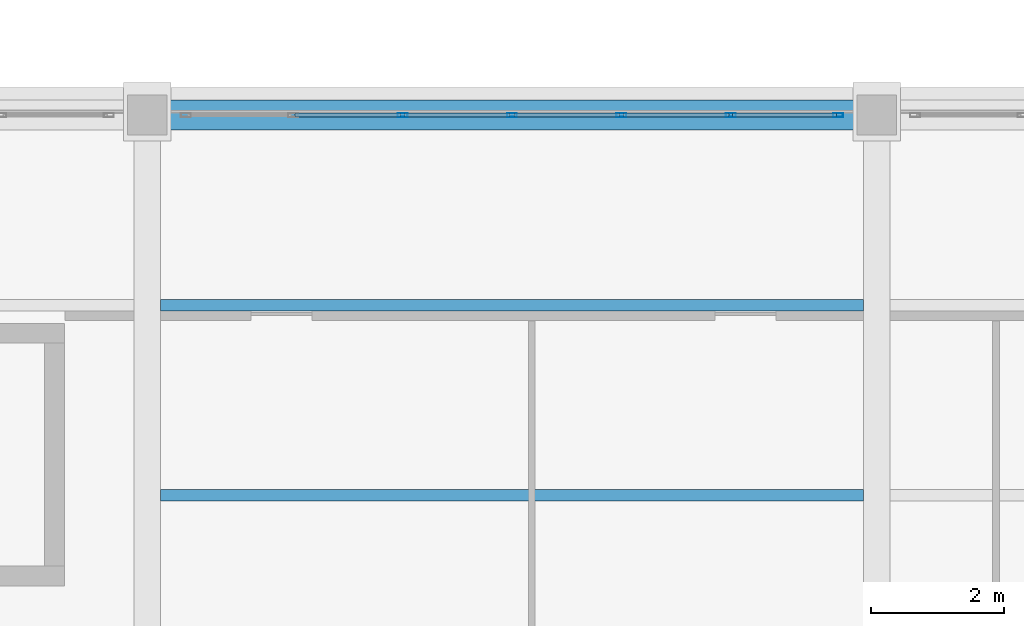
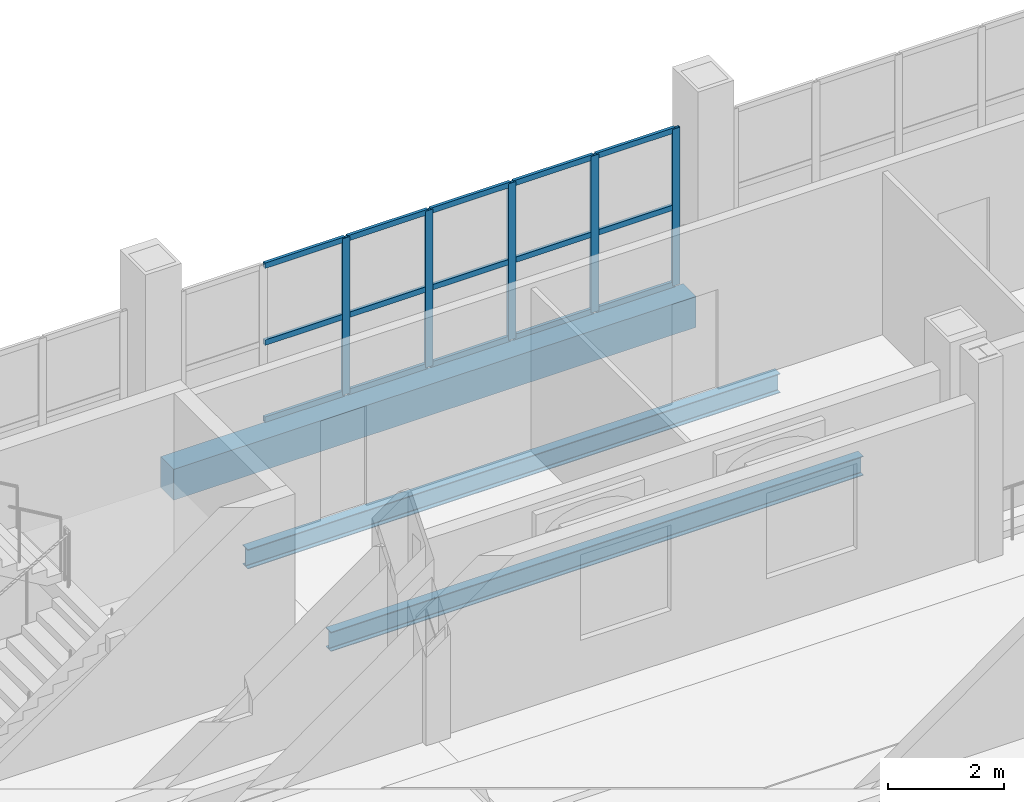
# One storey, part 57 of 120: 20 members, 3 beams, 1 element without a shape of its own.
"""IFC4 building model written with IfcOpenShell, lengths in metres."""

import ifcopenshell
import ifcopenshell.guid

model = None  # the IFC model being written
_history = None  # IfcOwnerHistory: only IFC2X3 demands one
_inside = {}  # id of a spatial element -> (the spatial element, [elements in it])
_under = {}  # id of a project, library or spatial element -> (it, [spatial elements below it])
_declared = {}  # id of a project -> (the project, [libraries it declares])
_typed = {}  # id of a type object -> (the type object, [elements of that type])
_made_of = {}  # id of a material, layer set ... -> (it, [elements and type objects made of it])


def new_model(schema):
    """Start an empty IFC model of exactly this schema.

    Asked for "IFC4X3", IfcOpenShell would pick the latest addendum, in which some entities
    have other attributes; the version numbers below select the first issue.
    IFC2X3 requires an IfcOwnerHistory on every rooted entity: one is made here for all.
    """
    global model, _history
    if schema == "IFC4X3":
        model = ifcopenshell.file(schema_version=(4, 3, 0, 0))
    else:
        model = ifcopenshell.file(schema=schema)
    _inside.clear()
    _under.clear()
    _declared.clear()
    _typed.clear()
    _made_of.clear()
    _history = None
    if model.schema == "IFC2X3":
        org = make("IfcOrganization", Name="unknown")
        user = make(
            "IfcPersonAndOrganization",
            ThePerson=make("IfcPerson", FamilyName="unknown"),
            TheOrganization=org,
        )
        app = make(
            "IfcApplication",
            ApplicationDeveloper=org,
            Version="unknown",
            ApplicationFullName="unknown",
            ApplicationIdentifier="unknown",
        )
        _history = make(
            "IfcOwnerHistory",
            OwningUser=user,
            OwningApplication=app,
            ChangeAction="ADDED",
            CreationDate=0,
        )
    return model


def make(cls, **values):
    """One entity of the class cls with the attributes given. An attribute that is None is left unset."""
    return model.create_entity(
        cls, **{name: value for name, value in values.items() if value is not None}
    )


def rooted(cls, **values):
    """An entity with a GlobalId (a new one), such as an element, a storey or a relation."""
    return make(cls, GlobalId=ifcopenshell.guid.new(), OwnerHistory=_history, **values)


def si_unit(unit_type, name, prefix=None):
    """IfcSIUnit, for example si_unit("LENGTHUNIT", "METRE", prefix="MILLI")."""
    return make("IfcSIUnit", UnitType=unit_type, Prefix=prefix, Name=name)


def assignment(units):
    """IfcUnitAssignment: the units of a project."""
    return None if units is None else make("IfcUnitAssignment", Units=units)


def point(xyz):
    """IfcCartesianPoint."""
    return None if xyz is None else make("IfcCartesianPoint", Coordinates=xyz)


def direction(xyz):
    """IfcDirection."""
    return None if xyz is None else make("IfcDirection", DirectionRatios=xyz)


def frame(location, z_axis=None, x_axis=None):
    """IfcAxis2Placement3D, a coordinate frame: its origin and axes. An axis left out is left unset."""
    return make(
        "IfcAxis2Placement3D",
        Location=point(location),
        Axis=direction(z_axis),
        RefDirection=direction(x_axis),
    )


def frame_2d(location, x_axis=None):
    """IfcAxis2Placement2D, a coordinate frame in the plane: its origin and x axis."""
    return make(
        "IfcAxis2Placement2D", Location=point(location), RefDirection=direction(x_axis)
    )


def origin():
    """The frame at (0, 0, 0) with its axes left unset."""
    return frame((0.0, 0.0, 0.0))


def origin_2d():
    """The frame at (0, 0) in the plane with its x axis left unset."""
    return frame_2d((0.0, 0.0))


def place(relative_to, where):
    """IfcLocalPlacement: puts the frame where relative to a parent placement (None: the world)."""
    return make(
        "IfcLocalPlacement", PlacementRelTo=relative_to, RelativePlacement=where
    )


def context(
    kind, dimensions, precision=None, world=None, true_north=None, identifier=None
):
    """IfcGeometricRepresentationContext, for example the 3D "Model" context."""
    return make(
        "IfcGeometricRepresentationContext",
        ContextIdentifier=identifier,
        ContextType=kind,
        CoordinateSpaceDimension=dimensions,
        Precision=precision,
        WorldCoordinateSystem=world,
        TrueNorth=true_north,
    )


def subcontext(parent, identifier, kind, view, scale=None):
    """IfcGeometricRepresentationSubContext, for example "Body" below "Model"."""
    return make(
        "IfcGeometricRepresentationSubContext",
        ContextIdentifier=identifier,
        ContextType=kind,
        ParentContext=parent,
        TargetScale=scale,
        TargetView=view,
    )


def project(units=None, contexts=None):
    """IfcProject with its units and contexts."""
    return rooted(
        "IfcProject",
        Name="project",
        RepresentationContexts=contexts,
        UnitsInContext=assignment(units),
    )


def spatial(cls, under=None, at=None, **own):
    """A site, building, storey or space (cls), placed at a placement, below another one or the project."""
    s = rooted(cls, ObjectPlacement=at, **own)
    if under is not None:
        _under.setdefault(under.id(), (under, []))[1].append(s)
    return s


def profile(cls, at=None, kind="AREA", **sizes):
    """A parametric profile (cls). Its sizes go by their IFC names, for example OverallWidth=200.0."""
    return make(cls, ProfileType=kind, Position=at, **sizes)


def rectangle(**sizes):
    """IfcRectangleProfileDef."""
    return profile("IfcRectangleProfileDef", **sizes)


def hollow_rectangle(**sizes):
    """IfcRectangleHollowProfileDef."""
    return profile("IfcRectangleHollowProfileDef", **sizes)


def i_section(**sizes):
    """IfcIShapeProfileDef."""
    return profile("IfcIShapeProfileDef", **sizes)


def extrude(swept, where, along, depth):
    """IfcExtrudedAreaSolid: the profile swept, set in the frame where, extruded along a direction by depth."""
    return make(
        "IfcExtrudedAreaSolid",
        SweptArea=swept,
        Position=where,
        ExtrudedDirection=direction(along),
        Depth=depth,
    )


def shape(context_of_items, identifier, shape_type, items):
    """IfcShapeRepresentation: the items that make up one representation, for example the "Body"."""
    return make(
        "IfcShapeRepresentation",
        ContextOfItems=context_of_items,
        RepresentationIdentifier=identifier,
        RepresentationType=shape_type,
        Items=items,
    )


def material(Name=None, Category=None):
    """IfcMaterial."""
    return make("IfcMaterial", Name=Name, Category=Category)


def material_profile(
    of_material, cross_section, Name=None, Category=None, Priority=None
):
    """IfcMaterialProfile: a cross section and its material."""
    return make(
        "IfcMaterialProfile",
        Name=Name,
        Material=of_material,
        Profile=cross_section,
        Priority=Priority,
        Category=Category,
    )


def profile_set(profiles, Name=None, composite=None):
    """IfcMaterialProfileSet."""
    return make(
        "IfcMaterialProfileSet",
        Name=Name,
        MaterialProfiles=profiles,
        CompositeProfile=composite,
    )


def made_of(thing, what):
    """Note that an element or type object is made of a material, layer set ...; save() writes the relation."""
    if what is not None:
        _made_of.setdefault(what.id(), (what, []))[1].append(thing)
    return thing


def type_object(cls, material=None, **own):
    """A type object (cls), such as IfcWallType, which elements share."""
    return made_of(rooted(cls, **own), material)


def element(
    cls,
    number,
    at=None,
    inside=None,
    cuts=None,
    type_object=None,
    material=None,
    context=None,
    identifier="Body",
    shape_type=None,
    held_by="IfcProductDefinitionShape",
    body=None,
    shapes=None,
    **own,
):
    """One element of the class cls, such as IfcWall. Its Tag is "e" and its number.

    at: its placement. inside: the storey or other place that contains it. cuts: it is an
    opening in that element (IfcRelVoidsElement). A single representation is given by context,
    identifier, shape_type and body (its items); several are given by shapes. held_by: the class
    of the entity that holds the representations. save() writes the other relations.
    """
    e = rooted(cls, Tag="e%d" % number, ObjectPlacement=at, **own)
    if body is not None:
        shapes = [shape(context, identifier, shape_type, body)]
    if shapes is not None:
        e.Representation = make(held_by, Representations=shapes)
    if inside is not None:
        _inside.setdefault(inside.id(), (inside, []))[1].append(e)
    if cuts is not None:
        rooted(
            "IfcRelVoidsElement", RelatingBuildingElement=cuts, RelatedOpeningElement=e
        )
    if type_object is not None:
        _typed.setdefault(type_object.id(), (type_object, []))[1].append(e)
    return made_of(e, material)


def aggregate(whole, parts):
    """IfcRelAggregates: a whole, such as a stair, and the parts it consists of."""
    return rooted("IfcRelAggregates", RelatingObject=whole, RelatedObjects=parts)


def save(model, path):
    """Write the relations noted so far, then the file.

    IfcRelAggregates (storeys below a building ...), IfcRelContainedInSpatialStructure (elements
    in a storey), IfcRelDefinesByType, IfcRelAssociatesMaterial and IfcRelDeclares: one each for
    every whole, place, type object, material and project.
    """
    for whole, parts in _under.values():
        aggregate(whole, parts)
    for where, things in _inside.values():
        rooted(
            "IfcRelContainedInSpatialStructure",
            RelatedElements=things,
            RelatingStructure=where,
        )
    for kind, things in _typed.values():
        rooted("IfcRelDefinesByType", RelatedObjects=things, RelatingType=kind)
    for what, things in _made_of.values():
        rooted("IfcRelAssociatesMaterial", RelatedObjects=things, RelatingMaterial=what)
    for by, libraries in _declared.values():
        rooted("IfcRelDeclares", RelatingContext=by, RelatedDefinitions=libraries)
    model.write(path)


model = new_model("IFC4")

# Units and contexts
model_context = context("Model", 3, precision=1e-05, world=origin(), true_north=direction((0.0, 1.0)))
body_context = subcontext(model_context, "Body", "Model", "MODEL_VIEW")
ifc_project = project(units=[si_unit("LENGTHUNIT", "METRE"), si_unit("AREAUNIT", "SQUARE_METRE"), si_unit("VOLUMEUNIT", "CUBIC_METRE"), si_unit("PLANEANGLEUNIT", "RADIAN"), si_unit("MASSUNIT", "GRAM", prefix="KILO")], contexts=[model_context])

# Site, building, storey
site_placement = place(None, origin())
site = spatial("IfcSite", under=ifc_project, at=site_placement, CompositionType="ELEMENT")
building_placement = place(site_placement, origin())
building = spatial("IfcBuilding", under=site, at=building_placement, Name="Caurita Quay Ferry Terminal", CompositionType="ELEMENT")
storey_placement = place(building_placement, frame((0.0, 0.0, 9.89990234375)))
storey = spatial("IfcBuildingStorey", under=building, at=storey_placement, Name="L02", CompositionType="ELEMENT", Elevation=9.89990234375)

# Beams
ifc_material_1 = material(Name="Structural steel ASTM A992 Gr. 50", Category="steel")
ifc_material_profile_1 = material_profile(ifc_material_1, i_section(OverallWidth=0.1787109375, OverallDepth=0.408935546875, WebThickness=0.0087890625, FlangeThickness=0.014404296875, FilletRadius=0.011474609375, at=origin_2d()), Name="W16X45")
ifc_profile_set_1 = profile_set([ifc_material_profile_1], Name="Structural steel ASTM A992 Gr. 50")
beam_type_1 = type_object("IfcBeamType", Name="BM-JS-W16A", PredefinedType="JOIST", material=ifc_profile_set_1)
for number, where, z_axis, x_axis, name in (
    (1, (44.199951171875, 74.466796875, -0.42431640625), (1.0, 0.0, 0.0), (0.0, 1.0, 0.0), "L02 Beam JS-V5-L02-032"),
    (2, (44.199951171875, 77.333251953125, -0.42431640625), (1.0, 0.0, 0.0), (0.0, 1.0, 0.0), "L02 Beam JS-V5-L02-033"),
):
    element("IfcBeam", number, at=place(storey_placement, frame(where, z_axis=z_axis, x_axis=x_axis)), inside=storey, type_object=beam_type_1, Name=name, PredefinedType="JOIST", context=body_context, shape_type="SweptSolid", body=[
        extrude(i_section(OverallWidth=0.1787109375, OverallDepth=0.408935546875, WebThickness=0.0087890625, FlangeThickness=0.014404296875, FilletRadius=0.011474609375, at=origin_2d()), origin(), (0.0, 0.0, 1.0), 10.60009765625),
    ])
ifc_material_2 = material(Name="Reinforced concrete C35/45", Category="concrete")
ifc_material_profile_2 = material_profile(ifc_material_2, rectangle(XDim=0.449951171875, YDim=0.64990234375, at=origin_2d()), Name="RC-BM-450X650")
ifc_profile_set_2 = profile_set([ifc_material_profile_2], Name="Reinforced concrete C35/45")
beam_type_2 = type_object("IfcBeamType", Name="BM-RC-4565", PredefinedType="BEAM", material=ifc_profile_set_2)
beam_placement = place(storey_placement, frame((44.297607421875, 80.199951171875, -0.544921875), z_axis=(1.0, 0.0, 0.0), x_axis=(0.0, 1.0, 0.0)))
element("IfcBeam", 3, at=beam_placement, inside=storey, type_object=beam_type_2, Name="L02 Beam BM-V5-L02-X-443-802", PredefinedType="BEAM", context=body_context, shape_type="SweptSolid", body=[
    extrude(rectangle(XDim=0.449951171875, YDim=0.64990234375, at=origin_2d()), origin(), (0.0, 0.0, 1.0), 10.40478515625),
])

# Curtain wall, members
ifc_material_3 = material(Name="Laminated solar-control insulated glass", Category="glass")
curtain_wall_type = type_object("IfcCurtainWallType", Name="CW-SYS-24", PredefinedType="NOTDEFINED", material=ifc_material_3)
curtain_wall_placement = place(storey_placement, origin())
curtain_wall = element("IfcCurtainWall", 4, at=curtain_wall_placement, inside=storey, type_object=curtain_wall_type, Name="L02 Courtyard Cloister Storefront 166", PredefinedType="NOTDEFINED")
ifc_material_4 = material(Name="Anodized aluminium 6063-T6", Category="aluminium")
ifc_material_profile_3 = material_profile(ifc_material_4, hollow_rectangle(XDim=0.06005859375, YDim=0.14990234375, WallThickness=0.00341796875, at=origin_2d()), Name="ALU-MUL-60X150")
ifc_profile_set_3 = profile_set([ifc_material_profile_3], Name="Anodized aluminium 6063-T6")
member_type_1 = type_object("IfcMemberType", Name="CW-MUL-150", PredefinedType="MULLION", material=ifc_profile_set_3)
member_1_placement = place(storey_placement, frame((47.85009765625, 80.199951171875, 0.0), z_axis=(0.0, 0.0, 1.0), x_axis=(0.0, 1.0, 0.0)))
member_1 = element("IfcMember", 5, at=member_1_placement, type_object=member_type_1, Name="CW-CRT-166 Mullion 3", PredefinedType="MULLION", context=body_context, shape_type="SweptSolid", body=[
    extrude(hollow_rectangle(XDim=0.06005859375, YDim=0.14990234375, WallThickness=0.00341796875, at=origin_2d()), origin(), (0.0, 0.0, 1.0), 3.300048828125),
])
member_2_placement = place(storey_placement, frame((49.5, 80.199951171875, 0.0), z_axis=(0.0, 0.0, 1.0), x_axis=(0.0, 1.0, 0.0)))
member_2 = element("IfcMember", 6, at=member_2_placement, type_object=member_type_1, Name="CW-CRT-166 Mullion 4", PredefinedType="MULLION", context=body_context, shape_type="SweptSolid", body=[
    extrude(hollow_rectangle(XDim=0.06005859375, YDim=0.14990234375, WallThickness=0.00341796875, at=origin_2d()), origin(), (0.0, 0.0, 1.0), 3.300048828125),
])
member_3_placement = place(storey_placement, frame((51.14990234375, 80.199951171875, 0.0), z_axis=(0.0, 0.0, 1.0), x_axis=(0.0, 1.0, 0.0)))
member_3 = element("IfcMember", 7, at=member_3_placement, type_object=member_type_1, Name="CW-CRT-166 Mullion 5", PredefinedType="MULLION", context=body_context, shape_type="SweptSolid", body=[
    extrude(hollow_rectangle(XDim=0.06005859375, YDim=0.14990234375, WallThickness=0.00341796875, at=origin_2d()), origin(), (0.0, 0.0, 1.0), 3.300048828125),
])
member_4_placement = place(storey_placement, frame((52.800048828125, 80.199951171875, 0.0), z_axis=(0.0, 0.0, 1.0), x_axis=(0.0, 1.0, 0.0)))
member_4 = element("IfcMember", 8, at=member_4_placement, type_object=member_type_1, Name="CW-CRT-166 Mullion 6", PredefinedType="MULLION", context=body_context, shape_type="SweptSolid", body=[
    extrude(hollow_rectangle(XDim=0.06005859375, YDim=0.14990234375, WallThickness=0.00341796875, at=origin_2d()), origin(), (0.0, 0.0, 1.0), 3.300048828125),
])
member_5_placement = place(storey_placement, frame((54.419921875, 80.199951171875, 0.0), z_axis=(0.0, 0.0, 1.0), x_axis=(0.0, 1.0, 0.0)))
member_5 = element("IfcMember", 9, at=member_5_placement, type_object=member_type_1, Name="CW-CRT-166 Mullion 7", PredefinedType="MULLION", context=body_context, shape_type="SweptSolid", body=[
    extrude(hollow_rectangle(XDim=0.06005859375, YDim=0.14990234375, WallThickness=0.00341796875, at=origin_2d()), origin(), (0.0, 0.0, 1.0), 3.300048828125),
])
ifc_material_profile_4 = material_profile(ifc_material_4, hollow_rectangle(XDim=0.06005859375, YDim=0.114990234375, WallThickness=0.00341796875, at=origin_2d()), Name="ALU-TRN-60X115")
ifc_profile_set_4 = profile_set([ifc_material_profile_4], Name="Anodized aluminium 6063-T6")
member_type_2 = type_object("IfcMemberType", Name="CW-TRN-115", PredefinedType="USERDEFINED", material=ifc_profile_set_4)
member_6_placement = place(storey_placement, frame((46.22802734375, 80.199951171875, 0.030029296875), z_axis=(1.0, 0.0, 0.0), x_axis=(0.0, 1.0, 0.0)))
member_6 = element("IfcMember", 10, at=member_6_placement, type_object=member_type_2, Name="CW-CRT-166 Transom 4", ObjectType="TRANSOM", PredefinedType="USERDEFINED", context=body_context, shape_type="SweptSolid", body=[
    extrude(hollow_rectangle(XDim=0.06005859375, YDim=0.114990234375, WallThickness=0.00341796875, at=origin_2d()), origin(), (0.0, 0.0, 1.0), 1.593994140625),
])
member_7_placement = place(storey_placement, frame((46.22802734375, 80.199951171875, 1.650146484375), z_axis=(1.0, 0.0, 0.0), x_axis=(0.0, 1.0, 0.0)))
member_7 = element("IfcMember", 11, at=member_7_placement, type_object=member_type_2, Name="CW-CRT-166 Transom 5", ObjectType="TRANSOM", PredefinedType="USERDEFINED", context=body_context, shape_type="SweptSolid", body=[
    extrude(hollow_rectangle(XDim=0.06005859375, YDim=0.114990234375, WallThickness=0.00341796875, at=origin_2d()), origin(), (0.0, 0.0, 1.0), 1.593994140625),
])
member_8_placement = place(storey_placement, frame((46.22802734375, 80.199951171875, 3.27001953125), z_axis=(1.0, 0.0, 0.0), x_axis=(0.0, 1.0, 0.0)))
member_8 = element("IfcMember", 12, at=member_8_placement, type_object=member_type_2, Name="CW-CRT-166 Transom 6", ObjectType="TRANSOM", PredefinedType="USERDEFINED", context=body_context, shape_type="SweptSolid", body=[
    extrude(hollow_rectangle(XDim=0.06005859375, YDim=0.114990234375, WallThickness=0.00341796875, at=origin_2d()), origin(), (0.0, 0.0, 1.0), 1.593994140625),
])
member_9_placement = place(storey_placement, frame((47.8779296875, 80.199951171875, 0.030029296875), z_axis=(1.0, 0.0, 0.0), x_axis=(0.0, 1.0, 0.0)))
member_9 = element("IfcMember", 13, at=member_9_placement, type_object=member_type_2, Name="CW-CRT-166 Transom 7", ObjectType="TRANSOM", PredefinedType="USERDEFINED", context=body_context, shape_type="SweptSolid", body=[
    extrude(hollow_rectangle(XDim=0.06005859375, YDim=0.114990234375, WallThickness=0.00341796875, at=origin_2d()), origin(), (0.0, 0.0, 1.0), 1.593994140625),
])
member_10_placement = place(storey_placement, frame((47.8779296875, 80.199951171875, 1.650146484375), z_axis=(1.0, 0.0, 0.0), x_axis=(0.0, 1.0, 0.0)))
member_10 = element("IfcMember", 14, at=member_10_placement, type_object=member_type_2, Name="CW-CRT-166 Transom 8", ObjectType="TRANSOM", PredefinedType="USERDEFINED", context=body_context, shape_type="SweptSolid", body=[
    extrude(hollow_rectangle(XDim=0.06005859375, YDim=0.114990234375, WallThickness=0.00341796875, at=origin_2d()), origin(), (0.0, 0.0, 1.0), 1.593994140625),
])
member_11_placement = place(storey_placement, frame((47.8779296875, 80.199951171875, 3.27001953125), z_axis=(1.0, 0.0, 0.0), x_axis=(0.0, 1.0, 0.0)))
member_11 = element("IfcMember", 15, at=member_11_placement, type_object=member_type_2, Name="CW-CRT-166 Transom 9", ObjectType="TRANSOM", PredefinedType="USERDEFINED", context=body_context, shape_type="SweptSolid", body=[
    extrude(hollow_rectangle(XDim=0.06005859375, YDim=0.114990234375, WallThickness=0.00341796875, at=origin_2d()), origin(), (0.0, 0.0, 1.0), 1.593994140625),
])
member_12_placement = place(storey_placement, frame((49.528076171875, 80.199951171875, 0.030029296875), z_axis=(1.0, 0.0, 0.0), x_axis=(0.0, 1.0, 0.0)))
member_12 = element("IfcMember", 16, at=member_12_placement, type_object=member_type_2, Name="CW-CRT-166 Transom 10", ObjectType="TRANSOM", PredefinedType="USERDEFINED", context=body_context, shape_type="SweptSolid", body=[
    extrude(hollow_rectangle(XDim=0.06005859375, YDim=0.114990234375, WallThickness=0.00341796875, at=origin_2d()), origin(), (0.0, 0.0, 1.0), 1.593994140625),
])
member_13_placement = place(storey_placement, frame((49.528076171875, 80.199951171875, 1.650146484375), z_axis=(1.0, 0.0, 0.0), x_axis=(0.0, 1.0, 0.0)))
member_13 = element("IfcMember", 17, at=member_13_placement, type_object=member_type_2, Name="CW-CRT-166 Transom 11", ObjectType="TRANSOM", PredefinedType="USERDEFINED", context=body_context, shape_type="SweptSolid", body=[
    extrude(hollow_rectangle(XDim=0.06005859375, YDim=0.114990234375, WallThickness=0.00341796875, at=origin_2d()), origin(), (0.0, 0.0, 1.0), 1.593994140625),
])
member_14_placement = place(storey_placement, frame((49.528076171875, 80.199951171875, 3.27001953125), z_axis=(1.0, 0.0, 0.0), x_axis=(0.0, 1.0, 0.0)))
member_14 = element("IfcMember", 18, at=member_14_placement, type_object=member_type_2, Name="CW-CRT-166 Transom 12", ObjectType="TRANSOM", PredefinedType="USERDEFINED", context=body_context, shape_type="SweptSolid", body=[
    extrude(hollow_rectangle(XDim=0.06005859375, YDim=0.114990234375, WallThickness=0.00341796875, at=origin_2d()), origin(), (0.0, 0.0, 1.0), 1.593994140625),
])
member_15_placement = place(storey_placement, frame((51.177978515625, 80.199951171875, 0.030029296875), z_axis=(1.0, 0.0, 0.0), x_axis=(0.0, 1.0, 0.0)))
member_15 = element("IfcMember", 19, at=member_15_placement, type_object=member_type_2, Name="CW-CRT-166 Transom 13", ObjectType="TRANSOM", PredefinedType="USERDEFINED", context=body_context, shape_type="SweptSolid", body=[
    extrude(hollow_rectangle(XDim=0.06005859375, YDim=0.114990234375, WallThickness=0.00341796875, at=origin_2d()), origin(), (0.0, 0.0, 1.0), 1.593994140625),
])
member_16_placement = place(storey_placement, frame((51.177978515625, 80.199951171875, 1.650146484375), z_axis=(1.0, 0.0, 0.0), x_axis=(0.0, 1.0, 0.0)))
member_16 = element("IfcMember", 20, at=member_16_placement, type_object=member_type_2, Name="CW-CRT-166 Transom 14", ObjectType="TRANSOM", PredefinedType="USERDEFINED", context=body_context, shape_type="SweptSolid", body=[
    extrude(hollow_rectangle(XDim=0.06005859375, YDim=0.114990234375, WallThickness=0.00341796875, at=origin_2d()), origin(), (0.0, 0.0, 1.0), 1.593994140625),
])
member_17_placement = place(storey_placement, frame((51.177978515625, 80.199951171875, 3.27001953125), z_axis=(1.0, 0.0, 0.0), x_axis=(0.0, 1.0, 0.0)))
member_17 = element("IfcMember", 21, at=member_17_placement, type_object=member_type_2, Name="CW-CRT-166 Transom 15", ObjectType="TRANSOM", PredefinedType="USERDEFINED", context=body_context, shape_type="SweptSolid", body=[
    extrude(hollow_rectangle(XDim=0.06005859375, YDim=0.114990234375, WallThickness=0.00341796875, at=origin_2d()), origin(), (0.0, 0.0, 1.0), 1.593994140625),
])
member_18_placement = place(storey_placement, frame((52.827880859375, 80.199951171875, 0.030029296875), z_axis=(1.0, 0.0, 0.0), x_axis=(0.0, 1.0, 0.0)))
member_18 = element("IfcMember", 22, at=member_18_placement, type_object=member_type_2, Name="CW-CRT-166 Transom 16", ObjectType="TRANSOM", PredefinedType="USERDEFINED", context=body_context, shape_type="SweptSolid", body=[
    extrude(hollow_rectangle(XDim=0.06005859375, YDim=0.114990234375, WallThickness=0.00341796875, at=origin_2d()), origin(), (0.0, 0.0, 1.0), 1.564208984375),
])
member_19_placement = place(storey_placement, frame((52.827880859375, 80.199951171875, 1.650146484375), z_axis=(1.0, 0.0, 0.0), x_axis=(0.0, 1.0, 0.0)))
member_19 = element("IfcMember", 23, at=member_19_placement, type_object=member_type_2, Name="CW-CRT-166 Transom 17", ObjectType="TRANSOM", PredefinedType="USERDEFINED", context=body_context, shape_type="SweptSolid", body=[
    extrude(hollow_rectangle(XDim=0.06005859375, YDim=0.114990234375, WallThickness=0.00341796875, at=origin_2d()), origin(), (0.0, 0.0, 1.0), 1.564208984375),
])
member_20_placement = place(storey_placement, frame((52.827880859375, 80.199951171875, 3.27001953125), z_axis=(1.0, 0.0, 0.0), x_axis=(0.0, 1.0, 0.0)))
member_20 = element("IfcMember", 24, at=member_20_placement, type_object=member_type_2, Name="CW-CRT-166 Transom 18", ObjectType="TRANSOM", PredefinedType="USERDEFINED", context=body_context, shape_type="SweptSolid", body=[
    extrude(hollow_rectangle(XDim=0.06005859375, YDim=0.114990234375, WallThickness=0.00341796875, at=origin_2d()), origin(), (0.0, 0.0, 1.0), 1.564208984375),
])
aggregate(curtain_wall, [member_1, member_2, member_3, member_4, member_5, member_6, member_7, member_8, member_9, member_10, member_11, member_12, member_13, member_14, member_15, member_16, member_17, member_18, member_19, member_20])

save(model, "model.ifc")
